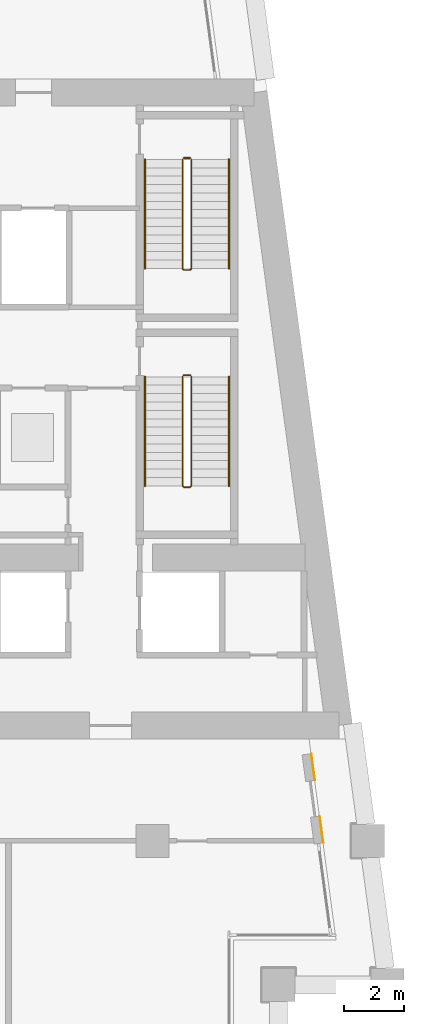
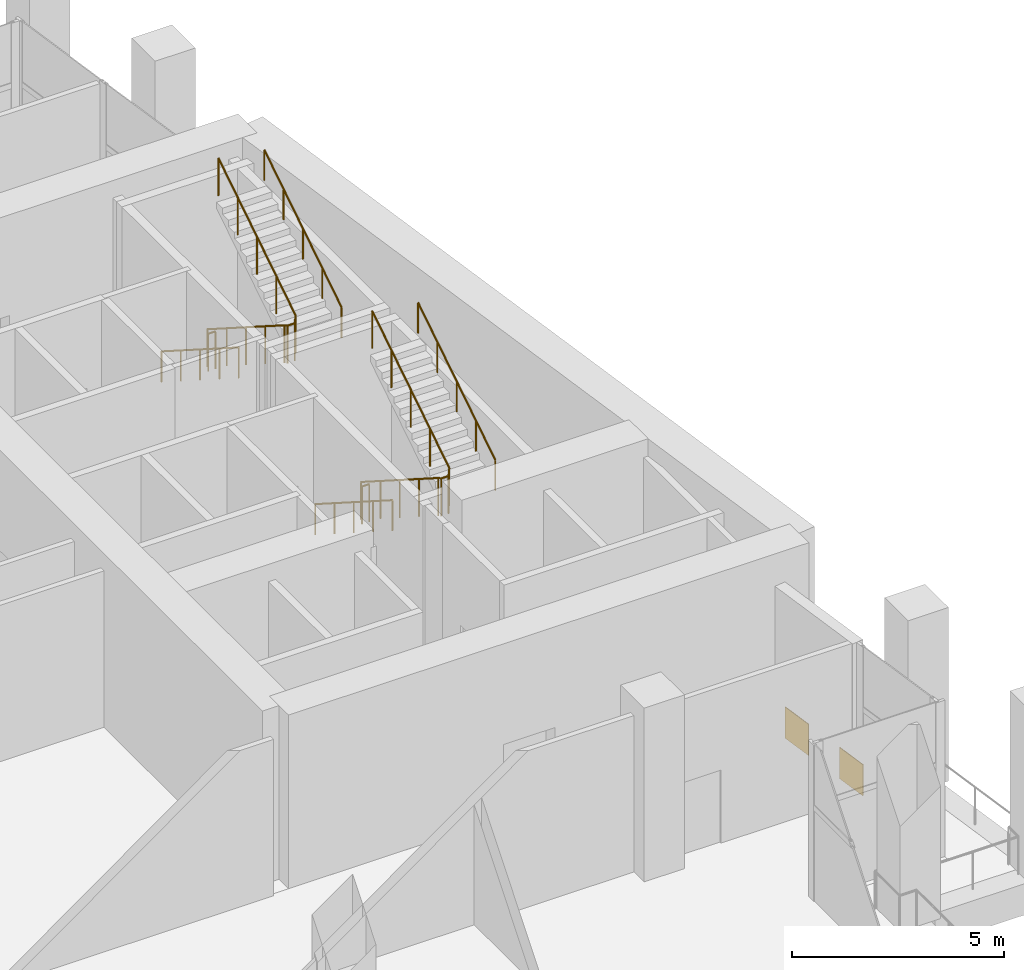
# One storey, part 14 of 16: 8 railings, 2 coverings.
"""IFC4 building model written with IfcOpenShell, lengths in metres."""

from ifc_helpers import new_model, si_unit, direction, frame, origin, origin_2d, place, context, subcontext, project, spatial, rectangle, circle, extrude, material, layer, layer_set, type_object, element, save


model = new_model("IFC4")

# Units and contexts
model_context = context("Model", 3, precision=1e-05, world=origin(), true_north=direction((0.0, 1.0)))
body_context = subcontext(model_context, "Body", "Model", "MODEL_VIEW")
ifc_project = project(units=[si_unit("LENGTHUNIT", "METRE"), si_unit("AREAUNIT", "SQUARE_METRE"), si_unit("VOLUMEUNIT", "CUBIC_METRE"), si_unit("PLANEANGLEUNIT", "RADIAN"), si_unit("MASSUNIT", "GRAM", prefix="KILO")], contexts=[model_context])

# Site, building, storey
site_placement = place(None, origin())
site = spatial("IfcSite", under=ifc_project, at=site_placement, CompositionType="ELEMENT")
building_placement = place(site_placement, origin())
building = spatial("IfcBuilding", under=site, at=building_placement, Name="Candeia Pilgrim Tower and Theatre", CompositionType="ELEMENT")
storey_placement = place(building_placement, frame((0.0, 0.0, 192.199951171875)))
storey = spatial("IfcBuildingStorey", under=building, at=storey_placement, Name="L46", CompositionType="ELEMENT", Elevation=192.199951171875)

# Coverings
ifc_material_1 = material(Name="Glazed ceramic tile rust")
ifc_layer = layer(ifc_material_1, 0.02001953125)
ifc_layer_set = layer_set([ifc_layer], Name="Glazed ceramic tile rust")
covering_type = type_object("IfcCoveringType", Name="Glazed ceramic tile rust", PredefinedType="CLADDING", material=ifc_layer_set)
for number, where, z_axis, x_axis, name in (
    (1, (140.03369140625, 107.380615234375, 0.0), (0.0, 0.0, 1.0), (-0.133412012145, 0.991060661622, 0.0), "Tile cladding rust L46"),
    (2, (139.753662109375, 109.4619140625, 0.0), (0.0, 0.0, 1.0), (-0.133412012145, 0.991060661622, 0.0), "Tile cladding rust L46"),
):
    element("IfcCovering", number, at=place(storey_placement, frame(where, z_axis=z_axis, x_axis=x_axis)), inside=storey, type_object=covering_type, Name=name, PredefinedType="CLADDING", context=body_context, shape_type="SweptSolid", body=[
        extrude(rectangle(XDim=0.89990234375, YDim=0.02001953125, at=origin_2d()), origin(), (0.0, 0.0, 1.0), 0.89990234375),
    ])

# Railings
ifc_material_2 = material(Name="Stainless steel balustrade", Category="steel")
railing_type_1 = type_object("IfcRailingType", Name="RL-GUARD-1100", PredefinedType="GUARDRAIL", material=ifc_material_2)
railing_1_placement = place(storey_placement, frame((135.39794921875, 122.47509765625, 0.1787109375)))
element("IfcRailing", 3, at=railing_1_placement, inside=storey, type_object=railing_type_1, Name="L46 ST3 stair guard 1", PredefinedType="GUARDRAIL", context=body_context, shape_type="SweptSolid", body=[
    extrude(circle(Radius=0.02392578125, at=origin_2d()), frame((0.0, 0.0, 1.076171875), z_axis=(0.0, -0.843153495434, 0.537672933239), x_axis=(1.0, 0.0, 0.0)), (0.0, 0.0, 1.0), 4.3173828125),
    extrude(circle(Radius=0.02392578125, at=origin_2d()), frame((0.0, -3.64013671875, 3.3974609375), z_axis=(0.707106781187, -0.707106781187, 0.0), x_axis=(0.707106781187, 0.707106781187, 0.0)), (0.0, 0.0, 1.0), 0.07080078125),
    extrude(circle(Radius=0.02392578125, at=origin_2d()), frame((0.050048828125, -3.690185546875, 3.3974609375), z_axis=(1.0, 0.0, 0.0), x_axis=(0.0, 1.0, 0.0)), (0.0, 0.0, 1.0), 0.199951171875),
    extrude(circle(Radius=0.02392578125, at=origin_2d()), frame((0.25, -3.690185546875, 3.3974609375), z_axis=(0.260376719329, 0.260376719329, 0.929735407556), x_axis=(-0.707106781187, 0.707106781187, 0.0)), (0.0, 0.0, 1.0), 0.192138671875),
    extrude(circle(Radius=0.02392578125, at=origin_2d()), frame((0.300048828125, -3.64013671875, 3.576171875), z_axis=(0.0, 0.843153495434, 0.537672933239), x_axis=(-1.0, 0.0, 0.0)), (0.0, 0.0, 1.0), 4.3173828125),
    extrude(circle(Radius=0.02099609375, at=origin_2d()), origin(), (0.0, 0.0, 1.0), 1.052001953125),
    extrude(circle(Radius=0.02099609375, at=origin_2d()), frame((0.0, -0.91015625, 0.580322265625)), (0.0, 0.0, 1.0), 1.052001953125),
    extrude(circle(Radius=0.02099609375, at=origin_2d()), frame((0.0, -1.820068359375, 1.16064453125)), (0.0, 0.0, 1.0), 1.052001953125),
    extrude(circle(Radius=0.02099609375, at=origin_2d()), frame((0.0, -2.72998046875, 1.740966796875)), (0.0, 0.0, 1.0), 1.052001953125),
    extrude(circle(Radius=0.02099609375, at=origin_2d()), frame((0.0, -3.64013671875, 2.3212890625)), (0.0, 0.0, 1.0), 1.052001953125),
    extrude(circle(Radius=0.02099609375, at=origin_2d()), frame((0.050048828125, -3.690185546875, 2.3212890625)), (0.0, 0.0, 1.0), 1.052001953125),
    extrude(circle(Radius=0.02099609375, at=origin_2d()), frame((0.25, -3.690185546875, 2.3212890625)), (0.0, 0.0, 1.0), 1.052001953125),
    extrude(circle(Radius=0.02099609375, at=origin_2d()), frame((0.300048828125, -3.64013671875, 2.5)), (0.0, 0.0, 1.0), 1.052001953125),
    extrude(circle(Radius=0.02099609375, at=origin_2d()), frame((0.300048828125, -2.72998046875, 3.080322265625)), (0.0, 0.0, 1.0), 1.052001953125),
    extrude(circle(Radius=0.02099609375, at=origin_2d()), frame((0.300048828125, -1.820068359375, 3.66064453125)), (0.0, 0.0, 1.0), 1.052001953125),
    extrude(circle(Radius=0.02099609375, at=origin_2d()), frame((0.300048828125, -0.91015625, 4.240966796875)), (0.0, 0.0, 1.0), 1.052001953125),
    extrude(circle(Radius=0.02099609375, at=origin_2d()), frame((0.300048828125, 0.0, 4.8212890625)), (0.0, 0.0, 1.0), 1.052001953125),
])
railing_2_placement = place(storey_placement, frame((135.447998046875, 122.52490234375, 0.0)))
element("IfcRailing", 4, at=railing_2_placement, inside=storey, type_object=railing_type_1, Name="L46 ST3 stair guard 2", PredefinedType="GUARDRAIL", context=body_context, shape_type="SweptSolid", body=[
    extrude(circle(Radius=0.02392578125, at=origin_2d()), frame((0.0, 0.0, 1.076171875), z_axis=(1.0, 0.0, 0.0), x_axis=(0.0, 1.0, 0.0)), (0.0, 0.0, 1.0), 0.199951171875),
    extrude(circle(Radius=0.02099609375, at=origin_2d()), origin(), (0.0, 0.0, 1.0), 1.052001953125),
    extrude(circle(Radius=0.02099609375, at=origin_2d()), frame((0.199951171875, 0.0, 0.0)), (0.0, 0.0, 1.0), 1.052001953125),
])
railing_3_placement = place(storey_placement, frame((135.39794921875, 129.72509765625, 0.1787109375)))
element("IfcRailing", 5, at=railing_3_placement, inside=storey, type_object=railing_type_1, Name="L46 ST4 stair guard 1", PredefinedType="GUARDRAIL", context=body_context, shape_type="SweptSolid", body=[
    extrude(circle(Radius=0.02392578125, at=origin_2d()), frame((0.0, 0.0, 1.076171875), z_axis=(0.0, -0.843153495434, 0.537672933239), x_axis=(1.0, 0.0, 0.0)), (0.0, 0.0, 1.0), 4.3173828125),
    extrude(circle(Radius=0.02392578125, at=origin_2d()), frame((0.0, -3.64013671875, 3.3974609375), z_axis=(0.707106781187, -0.707106781187, 0.0), x_axis=(0.707106781187, 0.707106781187, 0.0)), (0.0, 0.0, 1.0), 0.07080078125),
    extrude(circle(Radius=0.02392578125, at=origin_2d()), frame((0.050048828125, -3.690185546875, 3.3974609375), z_axis=(1.0, 0.0, 0.0), x_axis=(0.0, 1.0, 0.0)), (0.0, 0.0, 1.0), 0.199951171875),
    extrude(circle(Radius=0.02392578125, at=origin_2d()), frame((0.25, -3.690185546875, 3.3974609375), z_axis=(0.260376719329, 0.260376719329, 0.929735407556), x_axis=(-0.707106781187, 0.707106781187, 0.0)), (0.0, 0.0, 1.0), 0.192138671875),
    extrude(circle(Radius=0.02392578125, at=origin_2d()), frame((0.300048828125, -3.64013671875, 3.576171875), z_axis=(0.0, 0.843153495434, 0.537672933239), x_axis=(-1.0, 0.0, 0.0)), (0.0, 0.0, 1.0), 4.3173828125),
    extrude(circle(Radius=0.02099609375, at=origin_2d()), origin(), (0.0, 0.0, 1.0), 1.052001953125),
    extrude(circle(Radius=0.02099609375, at=origin_2d()), frame((0.0, -0.91015625, 0.580322265625)), (0.0, 0.0, 1.0), 1.052001953125),
    extrude(circle(Radius=0.02099609375, at=origin_2d()), frame((0.0, -1.820068359375, 1.16064453125)), (0.0, 0.0, 1.0), 1.052001953125),
    extrude(circle(Radius=0.02099609375, at=origin_2d()), frame((0.0, -2.72998046875, 1.740966796875)), (0.0, 0.0, 1.0), 1.052001953125),
    extrude(circle(Radius=0.02099609375, at=origin_2d()), frame((0.0, -3.64013671875, 2.3212890625)), (0.0, 0.0, 1.0), 1.052001953125),
    extrude(circle(Radius=0.02099609375, at=origin_2d()), frame((0.050048828125, -3.690185546875, 2.3212890625)), (0.0, 0.0, 1.0), 1.052001953125),
    extrude(circle(Radius=0.02099609375, at=origin_2d()), frame((0.25, -3.690185546875, 2.3212890625)), (0.0, 0.0, 1.0), 1.052001953125),
    extrude(circle(Radius=0.02099609375, at=origin_2d()), frame((0.300048828125, -3.64013671875, 2.5)), (0.0, 0.0, 1.0), 1.052001953125),
    extrude(circle(Radius=0.02099609375, at=origin_2d()), frame((0.300048828125, -2.72998046875, 3.080322265625)), (0.0, 0.0, 1.0), 1.052001953125),
    extrude(circle(Radius=0.02099609375, at=origin_2d()), frame((0.300048828125, -1.820068359375, 3.66064453125)), (0.0, 0.0, 1.0), 1.052001953125),
    extrude(circle(Radius=0.02099609375, at=origin_2d()), frame((0.300048828125, -0.91015625, 4.240966796875)), (0.0, 0.0, 1.0), 1.052001953125),
    extrude(circle(Radius=0.02099609375, at=origin_2d()), frame((0.300048828125, 0.0, 4.8212890625)), (0.0, 0.0, 1.0), 1.052001953125),
])
railing_4_placement = place(storey_placement, frame((135.447998046875, 129.77490234375, 0.0)))
element("IfcRailing", 6, at=railing_4_placement, inside=storey, type_object=railing_type_1, Name="L46 ST4 stair guard 2", PredefinedType="GUARDRAIL", context=body_context, shape_type="SweptSolid", body=[
    extrude(circle(Radius=0.02392578125, at=origin_2d()), frame((0.0, 0.0, 1.076171875), z_axis=(1.0, 0.0, 0.0), x_axis=(0.0, 1.0, 0.0)), (0.0, 0.0, 1.0), 0.199951171875),
    extrude(circle(Radius=0.02099609375, at=origin_2d()), origin(), (0.0, 0.0, 1.0), 1.052001953125),
    extrude(circle(Radius=0.02099609375, at=origin_2d()), frame((0.199951171875, 0.0, 0.0)), (0.0, 0.0, 1.0), 1.052001953125),
])
ifc_material_3 = material(Name="Stainless steel handrail", Category="steel")
railing_type_2 = type_object("IfcRailingType", Name="RL-HANDRAIL-900", PredefinedType="HANDRAIL", material=ifc_material_3)
railing_5_placement = place(storey_placement, frame((134.14794921875, 122.47509765625, 0.1787109375)))
element("IfcRailing", 7, at=railing_5_placement, inside=storey, type_object=railing_type_2, Name="L46 ST3 stair handrail 1", PredefinedType="HANDRAIL", context=body_context, shape_type="SweptSolid", body=[
    extrude(circle(Radius=0.02392578125, at=origin_2d()), frame((0.0, 0.0, 0.8759765625), z_axis=(0.0, -0.843153495434, 0.537672933239), x_axis=(1.0, 0.0, 0.0)), (0.0, 0.0, 1.0), 4.3173828125),
    extrude(circle(Radius=0.02099609375, at=origin_2d()), origin(), (0.0, 0.0, 1.0), 0.851806640625),
    extrude(circle(Radius=0.02099609375, at=origin_2d()), frame((0.0, -0.91015625, 0.580322265625)), (0.0, 0.0, 1.0), 0.851806640625),
    extrude(circle(Radius=0.02099609375, at=origin_2d()), frame((0.0, -1.820068359375, 1.16064453125)), (0.0, 0.0, 1.0), 0.851806640625),
    extrude(circle(Radius=0.02099609375, at=origin_2d()), frame((0.0, -2.72998046875, 1.740966796875)), (0.0, 0.0, 1.0), 0.851806640625),
    extrude(circle(Radius=0.02099609375, at=origin_2d()), frame((0.0, -3.64013671875, 2.3212890625)), (0.0, 0.0, 1.0), 0.851806640625),
])
railing_6_placement = place(storey_placement, frame((136.947998046875, 118.8349609375, 2.6787109375)))
element("IfcRailing", 8, at=railing_6_placement, inside=storey, type_object=railing_type_2, Name="L46 ST3 stair handrail 2", PredefinedType="HANDRAIL", context=body_context, shape_type="SweptSolid", body=[
    extrude(circle(Radius=0.02392578125, at=origin_2d()), frame((0.0, 0.0, 0.8759765625), z_axis=(0.0, 0.843153495434, 0.537672933239), x_axis=(-1.0, 0.0, 0.0)), (0.0, 0.0, 1.0), 4.3173828125),
    extrude(circle(Radius=0.02099609375, at=origin_2d()), origin(), (0.0, 0.0, 1.0), 0.851806640625),
    extrude(circle(Radius=0.02099609375, at=origin_2d()), frame((0.0, 0.91015625, 0.580322265625)), (0.0, 0.0, 1.0), 0.851806640625),
    extrude(circle(Radius=0.02099609375, at=origin_2d()), frame((0.0, 1.820068359375, 1.16064453125)), (0.0, 0.0, 1.0), 0.851806640625),
    extrude(circle(Radius=0.02099609375, at=origin_2d()), frame((0.0, 2.72998046875, 1.740966796875)), (0.0, 0.0, 1.0), 0.851806640625),
    extrude(circle(Radius=0.02099609375, at=origin_2d()), frame((0.0, 3.64013671875, 2.3212890625)), (0.0, 0.0, 1.0), 0.851806640625),
])
railing_7_placement = place(storey_placement, frame((134.14794921875, 129.72509765625, 0.1787109375)))
element("IfcRailing", 9, at=railing_7_placement, inside=storey, type_object=railing_type_2, Name="L46 ST4 stair handrail 1", PredefinedType="HANDRAIL", context=body_context, shape_type="SweptSolid", body=[
    extrude(circle(Radius=0.02392578125, at=origin_2d()), frame((0.0, 0.0, 0.8759765625), z_axis=(0.0, -0.843153495434, 0.537672933239), x_axis=(1.0, 0.0, 0.0)), (0.0, 0.0, 1.0), 4.3173828125),
    extrude(circle(Radius=0.02099609375, at=origin_2d()), origin(), (0.0, 0.0, 1.0), 0.851806640625),
    extrude(circle(Radius=0.02099609375, at=origin_2d()), frame((0.0, -0.91015625, 0.580322265625)), (0.0, 0.0, 1.0), 0.851806640625),
    extrude(circle(Radius=0.02099609375, at=origin_2d()), frame((0.0, -1.820068359375, 1.16064453125)), (0.0, 0.0, 1.0), 0.851806640625),
    extrude(circle(Radius=0.02099609375, at=origin_2d()), frame((0.0, -2.72998046875, 1.740966796875)), (0.0, 0.0, 1.0), 0.851806640625),
    extrude(circle(Radius=0.02099609375, at=origin_2d()), frame((0.0, -3.64013671875, 2.3212890625)), (0.0, 0.0, 1.0), 0.851806640625),
])
railing_8_placement = place(storey_placement, frame((136.947998046875, 126.0849609375, 2.6787109375)))
element("IfcRailing", 10, at=railing_8_placement, inside=storey, type_object=railing_type_2, Name="L46 ST4 stair handrail 2", PredefinedType="HANDRAIL", context=body_context, shape_type="SweptSolid", body=[
    extrude(circle(Radius=0.02392578125, at=origin_2d()), frame((0.0, 0.0, 0.8759765625), z_axis=(0.0, 0.843153495434, 0.537672933239), x_axis=(-1.0, 0.0, 0.0)), (0.0, 0.0, 1.0), 4.3173828125),
    extrude(circle(Radius=0.02099609375, at=origin_2d()), origin(), (0.0, 0.0, 1.0), 0.851806640625),
    extrude(circle(Radius=0.02099609375, at=origin_2d()), frame((0.0, 0.91015625, 0.580322265625)), (0.0, 0.0, 1.0), 0.851806640625),
    extrude(circle(Radius=0.02099609375, at=origin_2d()), frame((0.0, 1.820068359375, 1.16064453125)), (0.0, 0.0, 1.0), 0.851806640625),
    extrude(circle(Radius=0.02099609375, at=origin_2d()), frame((0.0, 2.72998046875, 1.740966796875)), (0.0, 0.0, 1.0), 0.851806640625),
    extrude(circle(Radius=0.02099609375, at=origin_2d()), frame((0.0, 3.64013671875, 2.3212890625)), (0.0, 0.0, 1.0), 0.851806640625),
])

save(model, "model.ifc")
